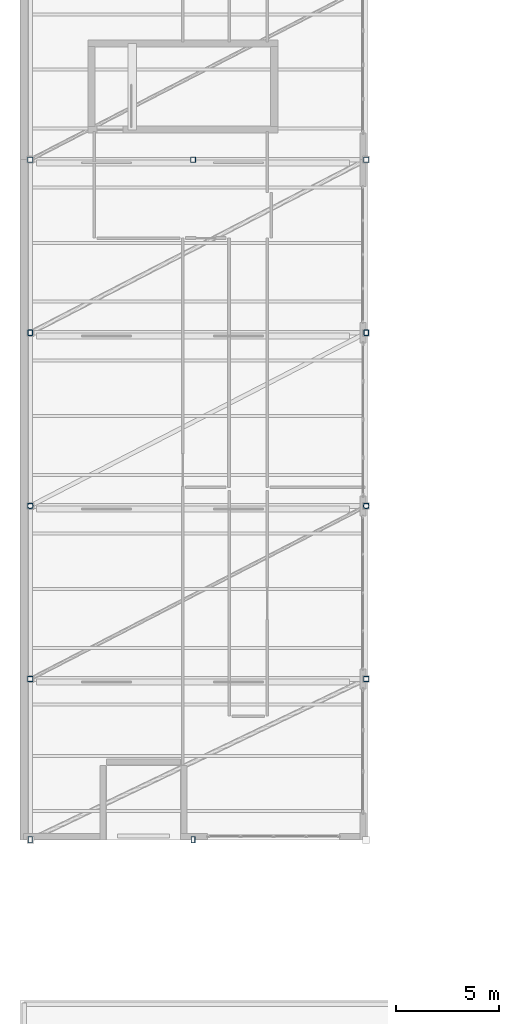
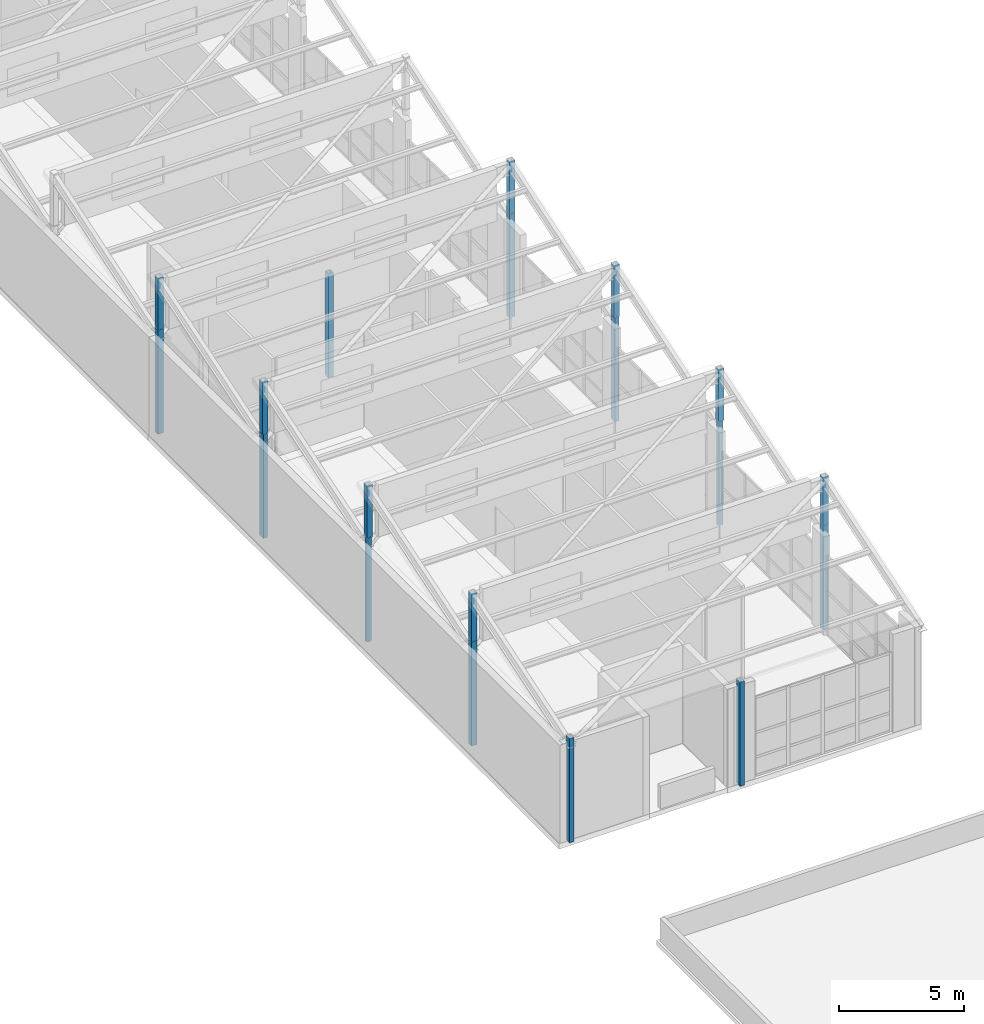
# One storey, part 1 of 34: 19 columns.
"""IFC4 building model written with IfcOpenShell, lengths in metres."""

from ifc_helpers import new_model, si_unit, direction, frame, origin, origin_2d, place, context, subcontext, project, spatial, hollow_rectangle, hollow_circle, extrude, material, material_profile, profile_set, type_object, element, save


model = new_model("IFC4")

# Units and contexts
model_context = context("Model", 3, precision=1e-05, world=origin(), true_north=direction((0.0, 1.0)))
body_context = subcontext(model_context, "Body", "Model", "MODEL_VIEW")
ifc_project = project(units=[si_unit("LENGTHUNIT", "METRE"), si_unit("AREAUNIT", "SQUARE_METRE"), si_unit("VOLUMEUNIT", "CUBIC_METRE"), si_unit("PLANEANGLEUNIT", "RADIAN"), si_unit("MASSUNIT", "GRAM", prefix="KILO")], contexts=[model_context])

# Site, building, storey
site_placement = place(None, origin())
site = spatial("IfcSite", under=ifc_project, at=site_placement, CompositionType="ELEMENT")
building_placement = place(site_placement, origin())
building = spatial("IfcBuilding", under=site, at=building_placement, Name="Quendrovan Civic Courthouse", CompositionType="ELEMENT")
storey_placement = place(building_placement, frame((0.0, 0.0, 25.5)))
storey = spatial("IfcBuildingStorey", under=building, at=storey_placement, Name="L06", CompositionType="ELEMENT", Elevation=25.5)

# Columns
ifc_material = material(Name="Steel ASTM A500 Grade C", Category="steel")
ifc_material_profile_1 = material_profile(ifc_material, hollow_circle(Radius=0.136474609375, WallThickness=0.011962890625, at=origin_2d()), Name="CHS273x12")
ifc_profile_set_1 = profile_set([ifc_material_profile_1], Name="Steel ASTM A500 Grade C")
column_type_1 = type_object("IfcColumnType", Name="COL-STL-CHS273", PredefinedType="COLUMN", material=ifc_profile_set_1)
for number, where, z_axis, x_axis, name in (
    (1, (0.5, 39.60009765625, 0.0), (0.0, 0.0, 1.0), (1.0, 0.0, 0.0), "L06 Column 1-F"),
    (2, (16.800048828125, 39.60009765625, 0.0), (0.0, 0.0, 1.0), (1.0, 0.0, 0.0), "L06 Column 3-F"),
):
    element("IfcColumn", number, at=place(storey_placement, frame(where, z_axis=z_axis, x_axis=x_axis)), inside=storey, type_object=column_type_1, Name=name, PredefinedType="COLUMN", context=body_context, shape_type="SweptSolid", body=[
        extrude(hollow_circle(Radius=0.136474609375, WallThickness=0.011962890625, at=origin_2d()), origin(), (0.0, 0.0, 1.0), 5.10009765625),
    ])
ifc_material_profile_2 = material_profile(ifc_material, hollow_rectangle(XDim=0.25, YDim=0.25, WallThickness=0.011962890625, at=origin_2d()), Name="HSS250x250x12")
ifc_profile_set_2 = profile_set([ifc_material_profile_2], Name="Steel ASTM A500 Grade C")
column_type_2 = type_object("IfcColumnType", Name="COL-STL-HSS250", PredefinedType="COLUMN", material=ifc_profile_set_2)
for number, where, z_axis, x_axis, name in (
    (3, (0.5, 31.199951171875, 0.0), (0.0, 0.0, 1.0), (1.0, 0.0, 0.0), "L06 Column 1-E"),
    (4, (0.5, 56.39990234375, 0.0), (0.0, 0.0, 1.0), (1.0, 0.0, 0.0), "L06 Column 1-H"),
    (5, (8.39990234375, 56.39990234375, 0.0), (0.0, 0.0, 1.0), (1.0, 0.0, 0.0), "L06 Column 2-H"),
    (6, (16.800048828125, 31.199951171875, 0.0), (0.0, 0.0, 1.0), (1.0, 0.0, 0.0), "L06 Column 3-E"),
    (7, (16.800048828125, 56.39990234375, 0.0), (0.0, 0.0, 1.0), (1.0, 0.0, 0.0), "L06 Column 3-H"),
):
    element("IfcColumn", number, at=place(storey_placement, frame(where, z_axis=z_axis, x_axis=x_axis)), inside=storey, type_object=column_type_2, Name=name, PredefinedType="COLUMN", context=body_context, shape_type="SweptSolid", body=[
        extrude(hollow_rectangle(XDim=0.25, YDim=0.25, WallThickness=0.011962890625, at=origin_2d()), origin(), (0.0, 0.0, 1.0), 5.10009765625),
    ])
column_1_placement = place(storey_placement, frame((0.5, 31.199951171875, 5.10009765625), z_axis=(0.0, 0.0, 1.0), x_axis=(1.0, 0.0, 0.0)))
element("IfcColumn", 8, at=column_1_placement, inside=storey, type_object=column_type_2, Name="Sawtooth Clerestory Steel Post W-1", PredefinedType="COLUMN", context=body_context, shape_type="SweptSolid", body=[
    extrude(hollow_rectangle(XDim=0.25, YDim=0.25, WallThickness=0.011962890625, at=origin_2d()), origin(), (0.0, 0.0, 1.0), 2.354248046875),
])
for number, where, z_axis, x_axis, name in (
    (9, (0.5, 39.60009765625, 5.10009765625), (0.0, 0.0, 1.0), (1.0, 0.0, 0.0), "Sawtooth Clerestory Steel Post W-2"),
    (10, (0.5, 48.0, 5.10009765625), (0.0, 0.0, 1.0), (1.0, 0.0, 0.0), "Sawtooth Clerestory Steel Post W-3"),
    (11, (0.5, 56.39990234375, 5.10009765625), (0.0, 0.0, 1.0), (1.0, 0.0, 0.0), "Sawtooth Clerestory Steel Post W-4"),
):
    element("IfcColumn", number, at=place(storey_placement, frame(where, z_axis=z_axis, x_axis=x_axis)), inside=storey, type_object=column_type_2, Name=name, PredefinedType="COLUMN", context=body_context, shape_type="SweptSolid", body=[
        extrude(hollow_rectangle(XDim=0.25, YDim=0.25, WallThickness=0.011962890625, at=origin_2d()), origin(), (0.0, 0.0, 1.0), 2.54931640625),
    ])
column_2_placement = place(storey_placement, frame((16.800048828125, 31.199951171875, 5.10009765625), z_axis=(0.0, 0.0, 1.0), x_axis=(1.0, 0.0, 0.0)))
element("IfcColumn", 12, at=column_2_placement, inside=storey, type_object=column_type_2, Name="Sawtooth Clerestory Steel Post E-1", PredefinedType="COLUMN", context=body_context, shape_type="SweptSolid", body=[
    extrude(hollow_rectangle(XDim=0.25, YDim=0.25, WallThickness=0.011962890625, at=origin_2d()), origin(), (0.0, 0.0, 1.0), 2.354248046875),
])
for number, where, z_axis, x_axis, name in (
    (13, (16.800048828125, 39.60009765625, 5.10009765625), (0.0, 0.0, 1.0), (1.0, 0.0, 0.0), "Sawtooth Clerestory Steel Post E-2"),
    (14, (16.800048828125, 48.0, 5.10009765625), (0.0, 0.0, 1.0), (1.0, 0.0, 0.0), "Sawtooth Clerestory Steel Post E-3"),
    (15, (16.800048828125, 56.39990234375, 5.10009765625), (0.0, 0.0, 1.0), (1.0, 0.0, 0.0), "Sawtooth Clerestory Steel Post E-4"),
):
    element("IfcColumn", number, at=place(storey_placement, frame(where, z_axis=z_axis, x_axis=x_axis)), inside=storey, type_object=column_type_2, Name=name, PredefinedType="COLUMN", context=body_context, shape_type="SweptSolid", body=[
        extrude(hollow_rectangle(XDim=0.25, YDim=0.25, WallThickness=0.011962890625, at=origin_2d()), origin(), (0.0, 0.0, 1.0), 2.54931640625),
    ])
ifc_material_profile_3 = material_profile(ifc_material, hollow_rectangle(XDim=0.199951171875, YDim=0.300048828125, WallThickness=0.011962890625, at=origin_2d()), Name="HSS300x200x12")
ifc_profile_set_3 = profile_set([ifc_material_profile_3], Name="Steel ASTM A500 Grade C")
column_type_3 = type_object("IfcColumnType", Name="COL-STL-HSS300", PredefinedType="COLUMN", material=ifc_profile_set_3)
for number, where, z_axis, x_axis, name in (
    (16, (0.5, 23.39990234375, 0.0), (0.0, 0.0, 1.0), (1.0, 0.0, 0.0), "L06 Column 1-D"),
    (17, (0.5, 48.0, 0.0), (0.0, 0.0, 1.0), (1.0, 0.0, 0.0), "L06 Column 1-G"),
    (18, (8.39990234375, 23.39990234375, 0.0), (0.0, 0.0, 1.0), (1.0, 0.0, 0.0), "L06 Column 2-D"),
    (19, (16.800048828125, 48.0, 0.0), (0.0, 0.0, 1.0), (1.0, 0.0, 0.0), "L06 Column 3-G"),
):
    element("IfcColumn", number, at=place(storey_placement, frame(where, z_axis=z_axis, x_axis=x_axis)), inside=storey, type_object=column_type_3, Name=name, PredefinedType="COLUMN", context=body_context, shape_type="SweptSolid", body=[
        extrude(hollow_rectangle(XDim=0.199951171875, YDim=0.300048828125, WallThickness=0.011962890625, at=origin_2d()), origin(), (0.0, 0.0, 1.0), 5.10009765625),
    ])

save(model, "model.ifc")
